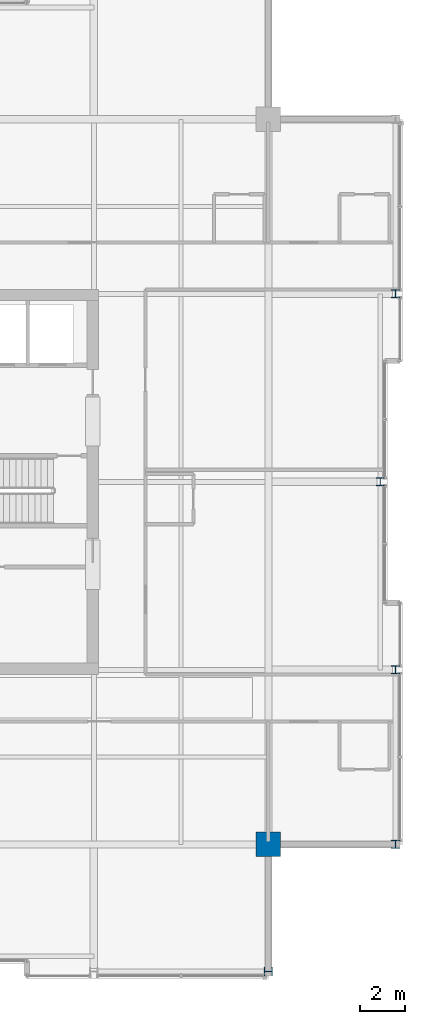
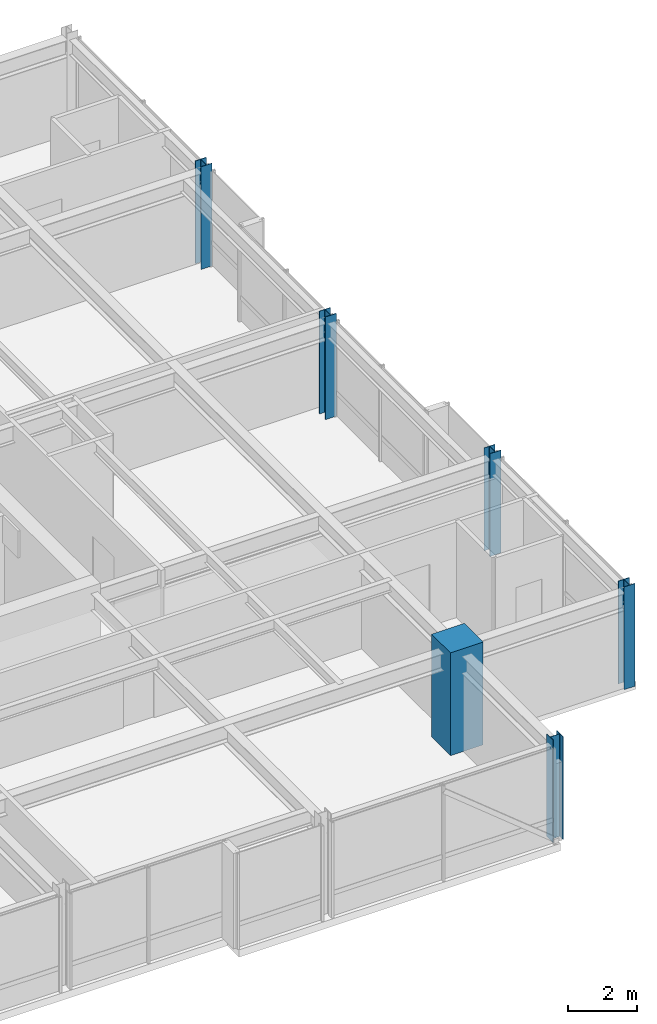
# One storey, part 2 of 33: 6 columns.
"""IFC4 building model written with IfcOpenShell, lengths in metres."""

from ifc_helpers import new_model, si_unit, direction, frame, origin, origin_2d, place, context, subcontext, project, spatial, rectangle, i_section, extrude, material, material_profile, profile_set, type_object, element, save


model = new_model("IFC4")

# Units and contexts
model_context = context("Model", 3, precision=1e-05, world=origin(), true_north=direction((0.0, 1.0)))
body_context = subcontext(model_context, "Body", "Model", "MODEL_VIEW")
ifc_project = project(units=[si_unit("LENGTHUNIT", "METRE"), si_unit("AREAUNIT", "SQUARE_METRE"), si_unit("VOLUMEUNIT", "CUBIC_METRE"), si_unit("PLANEANGLEUNIT", "RADIAN"), si_unit("MASSUNIT", "GRAM", prefix="KILO")], contexts=[model_context])

# Site, building, storey
site_placement = place(None, origin())
site = spatial("IfcSite", under=ifc_project, at=site_placement, CompositionType="ELEMENT")
building_placement = place(site_placement, origin())
building = spatial("IfcBuilding", under=site, at=building_placement, Name="Drelvath Grand Hotel", CompositionType="ELEMENT")
storey_placement = place(building_placement, frame((0.0, 0.0, 275.949951171875)))
storey = spatial("IfcBuildingStorey", under=building, at=storey_placement, Name="L72", CompositionType="ELEMENT", Elevation=275.949951171875)

# Columns
ifc_material_1 = material(Name="Concrete f'c 55 MPa", Category="concrete")
ifc_material_profile_1 = material_profile(ifc_material_1, rectangle(XDim=1.10009765625, YDim=1.10009765625, at=origin_2d()), Name="MC1100X1100")
ifc_profile_set_1 = profile_set([ifc_material_profile_1], Name="Concrete f'c 55 MPa")
column_type_1 = type_object("IfcColumnType", Name="Composite Mega Column MC1100X1100", PredefinedType="COLUMN", material=ifc_profile_set_1)
column_placement = place(storey_placement, frame((16.199951171875, 10.800048828125, 0.0), z_axis=(0.0, 0.0, 1.0), x_axis=(1.0, 0.0, 0.0)))
element("IfcColumn", 1, at=column_placement, inside=storey, type_object=column_type_1, Name="L72 Composite Mega Column MC-SE", PredefinedType="COLUMN", context=body_context, shape_type="SweptSolid", body=[
    extrude(rectangle(XDim=1.10009765625, YDim=1.10009765625, at=origin_2d()), origin(), (0.0, 0.0, 1.0), 3.650146484375),
])
ifc_material_2 = material(Name="Steel ASTM A913 Gr 65", Category="steel")
ifc_material_profile_2 = material_profile(ifc_material_2, i_section(OverallWidth=0.368896484375, OverallDepth=0.356201171875, WebThickness=0.01123046875, FlangeThickness=0.01806640625, FilletRadius=0.02490234375, at=origin_2d()), Name="W14X90")
ifc_profile_set_2 = profile_set([ifc_material_profile_2], Name="Steel ASTM A913 Gr 65")
column_type_2 = type_object("IfcColumnType", Name="Perimeter Steel Column W14X90", PredefinedType="COLUMN", material=ifc_profile_set_2)
for number, where, z_axis, x_axis, name in (
    (2, (21.8798828125, 10.800048828125, 0.0), (0.0, 0.0, 1.0), (1.0, 0.0, 0.0), "L72 Structural Column TCE-C"),
    (3, (21.8798828125, 18.60009765625, 0.0), (0.0, 0.0, 1.0), (1.0, 0.0, 0.0), "L72 Structural Column TCE-D"),
    (4, (21.199951171875, 27.0, 0.0), (0.0, 0.0, 1.0), (1.0, 0.0, 0.0), "L72 Structural Column TCE-E"),
    (5, (21.8798828125, 35.39990234375, 0.0), (0.0, 0.0, 1.0), (1.0, 0.0, 0.0), "L72 Structural Column TCE-F"),
    (6, (16.199951171875, 5.1201171875, 0.0), (0.0, 0.0, 1.0), (0.0, 1.0, 0.0), "L72 Structural Column TCS-7"),
):
    element("IfcColumn", number, at=place(storey_placement, frame(where, z_axis=z_axis, x_axis=x_axis)), inside=storey, type_object=column_type_2, Name=name, PredefinedType="COLUMN", context=body_context, shape_type="SweptSolid", body=[
        extrude(i_section(OverallWidth=0.368896484375, OverallDepth=0.356201171875, WebThickness=0.01123046875, FlangeThickness=0.01806640625, FilletRadius=0.02490234375, at=origin_2d()), origin(), (0.0, 0.0, 1.0), 3.64697265625),
    ])

save(model, "model.ifc")
